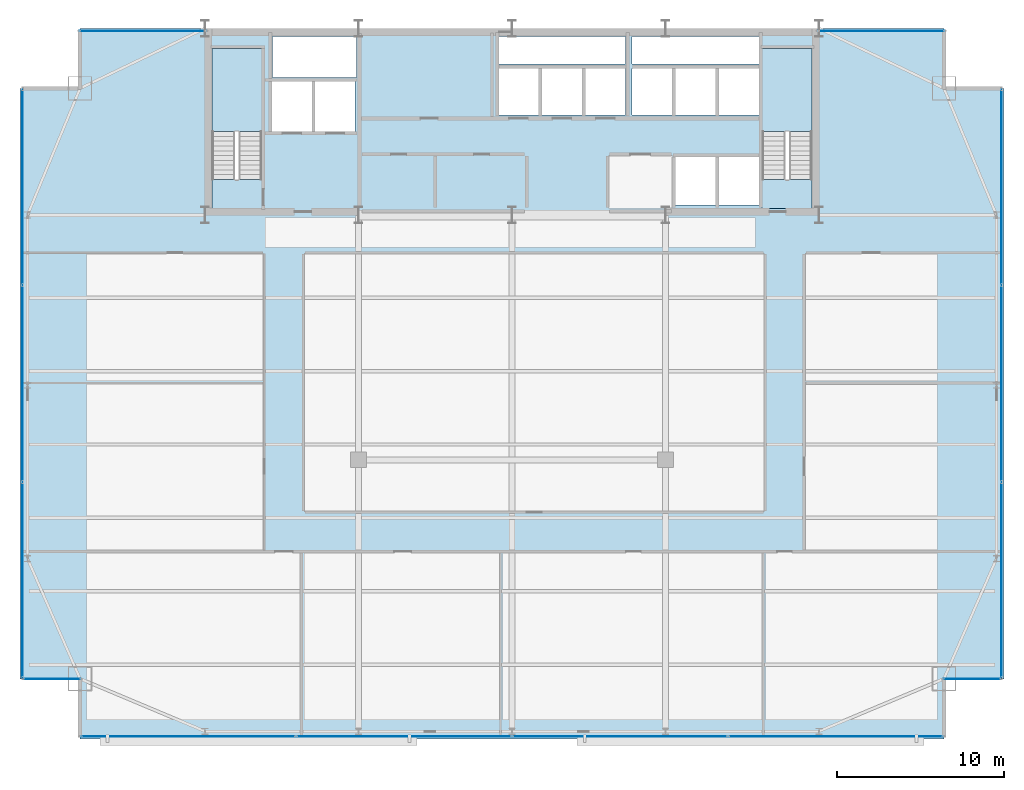
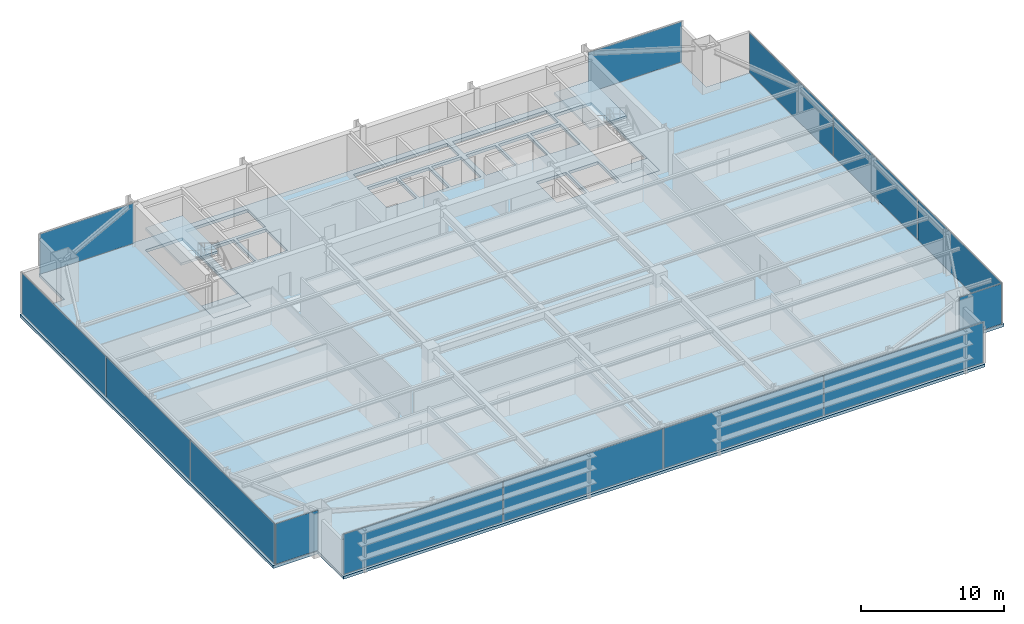
# One storey, part 26 of 33: 14 plates, 5 slabs, 9 elements without a shape of their own.
"""IFC4 building model written with IfcOpenShell, lengths in metres."""

from ifc_helpers import new_model, si_unit, direction, frame, origin, origin_2d, place, context, subcontext, project, spatial, polyline, rectangle, outline, extrude, source, transform, mapped, material, layer, layer_set, type_object, type_shapes, element, aggregate, save


model = new_model("IFC4")

# Units and contexts
model_context = context("Model", 3, precision=1e-05, world=origin(), true_north=direction((0.0, 1.0)))
body_context = subcontext(model_context, "Body", "Model", "MODEL_VIEW")
ifc_project = project(units=[si_unit("LENGTHUNIT", "METRE"), si_unit("AREAUNIT", "SQUARE_METRE"), si_unit("VOLUMEUNIT", "CUBIC_METRE"), si_unit("PLANEANGLEUNIT", "RADIAN"), si_unit("MASSUNIT", "GRAM", prefix="KILO")], contexts=[model_context])

# Site, building, storey
site_placement = place(None, origin())
site = spatial("IfcSite", under=ifc_project, at=site_placement, CompositionType="ELEMENT")
building_placement = place(site_placement, origin())
building = spatial("IfcBuilding", under=site, at=building_placement, Name="Varnel Quay Broadcast Tower", CompositionType="ELEMENT")
storey_placement = place(building_placement, frame((0.0, 0.0, 129.60009765625)))
storey = spatial("IfcBuildingStorey", under=building, at=storey_placement, Name="L31", CompositionType="ELEMENT", Elevation=129.60009765625)

# Slabs
ifc_material_1 = material(Name="Concrete CSA A23.3 C50/60", Category="concrete")
ifc_layer_1 = layer(ifc_material_1, 0.25, Name="Concrete CSA A23.3 C50/60")
ifc_layer_set_1 = layer_set([ifc_layer_1], Name="Concrete CSA A23.3 C50/60")
slab_type_1 = type_object("IfcSlabType", Name="Slab_Floor250", PredefinedType="FLOOR", material=ifc_layer_set_1)
slab_1_placement = place(storey_placement, frame((0.0, 0.0, -0.25)))
element("IfcSlab", 1, at=slab_1_placement, inside=storey, type_object=slab_type_1, Name="L31 Structural Slab", PredefinedType="FLOOR", context=body_context, shape_type="SweptSolid", body=[
    extrude(outline(polyline([(8.10009765625, 4.199951171875), (59.89990234375, 4.199951171875), (59.89990234375, 7.800048828125), (63.5, 7.800048828125), (63.5, 43.199951171875), (59.89990234375, 43.199951171875), (59.89990234375, 46.800048828125), (8.10009765625, 46.800048828125), (8.10009765625, 43.199951171875), (4.5, 43.199951171875), (4.5, 7.800048828125), (8.10009765625, 7.800048828125), (8.10009765625, 4.199951171875)]), holes=[polyline([(19.0, 36.0), (16.0, 36.0), (16.0, 45.60009765625), (19.0, 45.60009765625), (19.0, 36.0)]), polyline([(19.60009765625, 43.60009765625), (22.0, 43.60009765625), (22.0, 40.60009765625), (19.60009765625, 40.60009765625), (19.60009765625, 43.60009765625)]), polyline([(22.199951171875, 43.60009765625), (24.60009765625, 43.60009765625), (24.60009765625, 40.60009765625), (22.199951171875, 40.60009765625), (22.199951171875, 43.60009765625)]), polyline([(33.199951171875, 44.39990234375), (35.60009765625, 44.39990234375), (35.60009765625, 41.60009765625), (33.199951171875, 41.60009765625), (33.199951171875, 44.39990234375)]), polyline([(35.800048828125, 44.39990234375), (38.199951171875, 44.39990234375), (38.199951171875, 41.60009765625), (35.800048828125, 41.60009765625), (35.800048828125, 44.39990234375)]), polyline([(38.39990234375, 44.39990234375), (40.800048828125, 44.39990234375), (40.800048828125, 41.60009765625), (38.39990234375, 41.60009765625), (38.39990234375, 44.39990234375)]), polyline([(19.64990234375, 46.300048828125), (24.679931640625, 46.300048828125), (24.679931640625, 43.85009765625), (19.64990234375, 43.85009765625), (19.64990234375, 46.300048828125)]), polyline([(33.199951171875, 46.300048828125), (40.800048828125, 46.300048828125), (40.800048828125, 44.64990234375), (33.199951171875, 44.64990234375), (33.199951171875, 46.300048828125)]), polyline([(43.800048828125, 39.10009765625), (46.199951171875, 39.10009765625), (46.199951171875, 36.199951171875), (43.800048828125, 36.199951171875), (43.800048828125, 39.10009765625)]), polyline([(46.39990234375, 39.10009765625), (48.800048828125, 39.10009765625), (48.800048828125, 36.199951171875), (46.39990234375, 36.199951171875), (46.39990234375, 39.10009765625)]), polyline([(49.0, 36.0), (49.0, 45.60009765625), (52.0, 45.60009765625), (52.0, 36.0), (49.0, 36.0)]), polyline([(41.199951171875, 44.39990234375), (43.60009765625, 44.39990234375), (43.60009765625, 41.60009765625), (41.199951171875, 41.60009765625), (41.199951171875, 44.39990234375)]), polyline([(43.800048828125, 44.39990234375), (46.199951171875, 44.39990234375), (46.199951171875, 41.60009765625), (43.800048828125, 41.60009765625), (43.800048828125, 44.39990234375)]), polyline([(46.39990234375, 44.39990234375), (48.800048828125, 44.39990234375), (48.800048828125, 41.60009765625), (46.39990234375, 41.60009765625), (46.39990234375, 44.39990234375)]), polyline([(41.199951171875, 46.300048828125), (48.800048828125, 46.300048828125), (48.800048828125, 44.64990234375), (41.199951171875, 44.64990234375), (41.199951171875, 46.300048828125)])]), origin(), (0.0, 0.0, 1.0), 0.25),
])
ifc_layer_2 = layer(ifc_material_1, 0.25, Name="Concrete CSA A23.3 C50/60")
ifc_layer_set_2 = layer_set([ifc_layer_2], Name="Concrete CSA A23.3 C50/60")
slab_type_2 = type_object("IfcSlabType", Name="Slab_StairFloorLanding250", PredefinedType="FLOOR", material=ifc_layer_set_2)
slab_2_placement = place(storey_placement, frame((0.0, 0.0, -0.25)))
element("IfcSlab", 2, at=slab_2_placement, inside=storey, type_object=slab_type_2, Name="L31 ST-01 Structural Floor Landing Slab", PredefinedType="FLOOR", context=body_context, shape_type="SweptSolid", body=[
    extrude(outline(polyline([(19.0, 36.0), (19.0, 37.75), (16.0, 37.75), (16.0, 36.0), (19.0, 36.0)])), origin(), (0.0, 0.0, 1.0), 0.25),
])
slab_3_placement = place(storey_placement, frame((0.0, 0.0, -0.25)))
element("IfcSlab", 3, at=slab_3_placement, inside=storey, type_object=slab_type_2, Name="L31 ST-02 Structural Floor Landing Slab", PredefinedType="FLOOR", context=body_context, shape_type="SweptSolid", body=[
    extrude(outline(polyline([(52.0, 36.0), (52.0, 37.75), (49.0, 37.75), (49.0, 36.0), (52.0, 36.0)])), origin(), (0.0, 0.0, 1.0), 0.25),
])

# Stair, slab
ifc_material_2 = material(Name="Precast Structural Concrete C40/50", Category="concrete")
stair_type_1 = type_object("IfcStairType", Name="Stair_ST-01", PredefinedType="HALF_TURN_STAIR", material=ifc_material_2)
stair_1_placement = place(storey_placement, origin())
stair_1 = element("IfcStair", 4, at=stair_1_placement, inside=storey, type_object=stair_type_1, Name="L31 West Core Exit Stair 1", PredefinedType="HALF_TURN_STAIR")
ifc_layer_3 = layer(ifc_material_2, 0.199951171875, Name="Precast Structural Concrete C40/50")
ifc_layer_set_3 = layer_set([ifc_layer_3], Name="Precast Structural Concrete C40/50")
slab_type_3 = type_object("IfcSlabType", Name="Slab_StairLanding200", PredefinedType="LANDING", material=ifc_layer_set_3)
slab_4_placement = place(storey_placement, frame((0.0, 0.0, 1.699951171875)))
slab_4 = element("IfcSlab", 5, at=slab_4_placement, type_object=slab_type_3, Name="ST-01 landing 1", PredefinedType="LANDING", context=body_context, shape_type="SweptSolid", body=[
    extrude(outline(polyline([(19.0, 40.60009765625), (19.0, 45.60009765625), (16.0, 45.60009765625), (16.0, 40.60009765625), (19.0, 40.60009765625)])), origin(), (0.0, 0.0, 1.0), 0.199951171875),
])
aggregate(stair_1, [slab_4])

stair_type_2 = type_object("IfcStairType", Name="Stair_ST-02", PredefinedType="HALF_TURN_STAIR", material=ifc_material_2)
stair_2_placement = place(storey_placement, origin())
stair_2 = element("IfcStair", 6, at=stair_2_placement, inside=storey, type_object=stair_type_2, Name="L31 East Core Exit Stair 2", PredefinedType="HALF_TURN_STAIR")
slab_5_placement = place(storey_placement, frame((0.0, 0.0, 1.699951171875)))
slab_5 = element("IfcSlab", 7, at=slab_5_placement, type_object=slab_type_3, Name="ST-02 landing 1", PredefinedType="LANDING", context=body_context, shape_type="SweptSolid", body=[
    extrude(outline(polyline([(52.0, 40.60009765625), (52.0, 45.60009765625), (49.0, 45.60009765625), (49.0, 40.60009765625), (52.0, 40.60009765625)])), origin(), (0.0, 0.0, 1.0), 0.199951171875),
])
aggregate(stair_2, [slab_5])

# Curtain wall, plate
ifc_material_3 = material(Name="Anodised Bronze Aluminium 6063-T6", Category="aluminium")
ifc_layer_4 = layer(ifc_material_3, 0.18994140625, Name="Anodised Bronze Aluminium 6063-T6")
ifc_layer_set_4 = layer_set([ifc_layer_4], Name="Anodised Bronze Aluminium 6063-T6")
curtain_wall_type_1 = type_object("IfcCurtainWallType", Name="CW_LowerTower", PredefinedType="NOTDEFINED", material=ifc_layer_set_4)
curtain_wall_1_placement = place(storey_placement, origin())
curtain_wall_1 = element("IfcCurtainWall", 8, at=curtain_wall_1_placement, inside=storey, type_object=curtain_wall_type_1, Name="L31 West Unitised Curtain Wall", PredefinedType="NOTDEFINED")
ifc_material_4 = material(Name="Insulated Bronze Spandrel Glass", Category="glass")
ifc_layer_5 = layer(ifc_material_4, 0.031982421875, Name="Insulated Bronze Spandrel Glass")
ifc_layer_set_5 = layer_set([ifc_layer_5], Name="Insulated Bronze Spandrel Glass")
plate_type_1 = type_object("IfcPlateType", Name="PanelSp_CWS-02", PredefinedType="CURTAIN_PANEL", material=ifc_layer_set_5)
shared_shape_1 = source(origin(), body_context, "Body", "SweptSolid", [
    extrude(rectangle(XDim=11.72998046875, YDim=0.031982421875, at=origin_2d()), origin(), (0.0, 0.0, 1.0), 3.429931640625),
])
plate_1_placement = place(storey_placement, frame((4.64990234375, 25.5, 0.06005859375), z_axis=(0.0, 0.0, 1.0), x_axis=(0.0, 1.0, 0.0)))
plate_1 = element("IfcPlate", 9, at=plate_1_placement, type_object=plate_type_1, Name="CWS-02 panel 2.1", PredefinedType="CURTAIN_PANEL", context=body_context, shape_type="MappedRepresentation", body=[
    mapped(shared_shape_1, transform((0.0, 0.0, 0.0), x_axis=(1.0, 0.0, 0.0), y_axis=(0.0, 1.0, 0.0), z_axis=(0.0, 0.0, 1.0), scale=1.0)),
])

curtain_wall_2_placement = place(storey_placement, origin())
curtain_wall_2 = element("IfcCurtainWall", 10, at=curtain_wall_2_placement, inside=storey, type_object=curtain_wall_type_1, Name="L31 East Unitised Curtain Wall", PredefinedType="NOTDEFINED")
plate_2_placement = place(storey_placement, frame((63.35009765625, 25.5, 0.06005859375), z_axis=(0.0, 0.0, 1.0), x_axis=(0.0, 1.0, 0.0)))
plate_2 = element("IfcPlate", 11, at=plate_2_placement, type_object=plate_type_1, Name="CWS-02 panel 2.1", PredefinedType="CURTAIN_PANEL", context=body_context, shape_type="MappedRepresentation", body=[
    mapped(shared_shape_1, transform((0.0, 0.0, 0.0), x_axis=(1.0, 0.0, 0.0), y_axis=(0.0, 1.0, 0.0), z_axis=(0.0, 0.0, 1.0), scale=1.0)),
])

ifc_layer_6 = layer(ifc_material_3, 0.18994140625, Name="Anodised Bronze Aluminium 6063-T6")
ifc_layer_set_6 = layer_set([ifc_layer_6], Name="Anodised Bronze Aluminium 6063-T6")
curtain_wall_type_2 = type_object("IfcCurtainWallType", Name="CW_NotchCorner", PredefinedType="NOTDEFINED", material=ifc_layer_set_6)
curtain_wall_3_placement = place(storey_placement, origin())
curtain_wall_3 = element("IfcCurtainWall", 12, at=curtain_wall_3_placement, inside=storey, type_object=curtain_wall_type_2, Name="L31 SW Notch Curtain Wall", PredefinedType="NOTDEFINED")
ifc_material_5 = material(Name="Triple-Glazed Bronze Low-E Architectural Glass", Category="glass")
ifc_layer_7 = layer(ifc_material_5, 0.028076171875, Name="Triple-Glazed Bronze Low-E Architectural Glass")
ifc_layer_set_7 = layer_set([ifc_layer_7], Name="Triple-Glazed Bronze Low-E Architectural Glass")
plate_type_2 = type_object("IfcPlateType", Name="Panel_CWS-04", PredefinedType="CURTAIN_PANEL", material=ifc_layer_set_7)
shared_shape_2 = source(origin(), body_context, "Body", "SweptSolid", [
    extrude(rectangle(XDim=3.409912109375, YDim=0.028076171875, at=origin_2d()), origin(), (0.0, 0.0, 1.0), 3.43994140625),
])
type_shapes(plate_type_2, [shared_shape_2])
plate_3_placement = place(storey_placement, frame((6.4150390625, 7.800048828125, 0.054931640625), z_axis=(0.0, 0.0, 1.0), x_axis=(1.0, 0.0, 0.0)))
plate_3 = element("IfcPlate", 13, at=plate_3_placement, type_object=plate_type_2, Name="CWS-04 panel 1.1", PredefinedType="CURTAIN_PANEL", context=body_context, shape_type="MappedRepresentation", body=[
    mapped(shared_shape_2, transform((0.0, 0.0, 0.0), x_axis=(1.0, 0.0, 0.0), y_axis=(0.0, 1.0, 0.0), z_axis=(0.0, 0.0, 1.0), scale=1.0)),
])
aggregate(curtain_wall_3, [plate_3])

curtain_wall_4_placement = place(storey_placement, origin())
curtain_wall_4 = element("IfcCurtainWall", 14, at=curtain_wall_4_placement, inside=storey, type_object=curtain_wall_type_2, Name="L31 SE Notch Curtain Wall", PredefinedType="NOTDEFINED")
plate_4_placement = place(storey_placement, frame((61.5849609375, 7.800048828125, 0.054931640625), z_axis=(0.0, 0.0, 1.0), x_axis=(1.0, 0.0, 0.0)))
plate_4 = element("IfcPlate", 15, at=plate_4_placement, type_object=plate_type_2, Name="CWS-04 panel 1.1", PredefinedType="CURTAIN_PANEL", context=body_context, shape_type="MappedRepresentation", body=[
    mapped(shared_shape_2, transform((0.0, 0.0, 0.0), x_axis=(1.0, 0.0, 0.0), y_axis=(0.0, 1.0, 0.0), z_axis=(0.0, 0.0, 1.0), scale=1.0)),
])
aggregate(curtain_wall_4, [plate_4])

curtain_wall_5_placement = place(storey_placement, origin())
curtain_wall_5 = element("IfcCurtainWall", 16, at=curtain_wall_5_placement, inside=storey, type_object=curtain_wall_type_1, Name="L31 NW Wing Curtain Wall", PredefinedType="NOTDEFINED")
ifc_layer_8 = layer(ifc_material_5, 0.031982421875, Name="Triple-Glazed Bronze Low-E Architectural Glass")
ifc_layer_set_8 = layer_set([ifc_layer_8], Name="Triple-Glazed Bronze Low-E Architectural Glass")
plate_type_3 = type_object("IfcPlateType", Name="Panel_CWS-02", PredefinedType="CURTAIN_PANEL", material=ifc_layer_set_8)
shared_shape_3 = source(origin(), body_context, "Body", "SweptSolid", [
    extrude(rectangle(XDim=7.5400390625, YDim=0.031982421875, at=origin_2d()), origin(), (0.0, 0.0, 1.0), 3.429931640625),
])
plate_5_placement = place(storey_placement, frame((11.860107421875, 46.64990234375, 0.06005859375), z_axis=(0.0, 0.0, 1.0), x_axis=(1.0, 0.0, 0.0)))
plate_5 = element("IfcPlate", 17, at=plate_5_placement, type_object=plate_type_3, Name="CWS-02 panel 1.1", PredefinedType="CURTAIN_PANEL", context=body_context, shape_type="MappedRepresentation", body=[
    mapped(shared_shape_3, transform((0.0, 0.0, 0.0), x_axis=(1.0, 0.0, 0.0), y_axis=(0.0, 1.0, 0.0), z_axis=(0.0, 0.0, 1.0), scale=1.0)),
])
aggregate(curtain_wall_5, [plate_5])

curtain_wall_6_placement = place(storey_placement, origin())
curtain_wall_6 = element("IfcCurtainWall", 18, at=curtain_wall_6_placement, inside=storey, type_object=curtain_wall_type_1, Name="L31 NE Wing Curtain Wall", PredefinedType="NOTDEFINED")
plate_6_placement = place(storey_placement, frame((56.139892578125, 46.64990234375, 0.06005859375), z_axis=(0.0, 0.0, 1.0), x_axis=(1.0, 0.0, 0.0)))
plate_6 = element("IfcPlate", 19, at=plate_6_placement, type_object=plate_type_3, Name="CWS-02 panel 1.1", PredefinedType="CURTAIN_PANEL", context=body_context, shape_type="MappedRepresentation", body=[
    mapped(shared_shape_3, transform((0.0, 0.0, 0.0), x_axis=(1.0, 0.0, 0.0), y_axis=(0.0, 1.0, 0.0), z_axis=(0.0, 0.0, 1.0), scale=1.0)),
])
aggregate(curtain_wall_6, [plate_6])

# Curtain wall, plates
curtain_wall_7_placement = place(storey_placement, origin())
curtain_wall_7 = element("IfcCurtainWall", 20, at=curtain_wall_7_placement, inside=storey, type_object=curtain_wall_type_1, Name="L31 South Unitised Curtain Wall 1", PredefinedType="NOTDEFINED")
shared_shape_4 = source(origin(), body_context, "Body", "SweptSolid", [
    extrude(rectangle(XDim=12.844970703125, YDim=0.031982421875, at=origin_2d()), origin(), (0.0, 0.0, 1.0), 3.429931640625),
])
plate_7_placement = place(storey_placement, frame((14.592529296875, 4.35009765625, 0.06005859375), z_axis=(0.0, 0.0, 1.0), x_axis=(1.0, 0.0, 0.0)))
plate_7 = element("IfcPlate", 21, at=plate_7_placement, type_object=plate_type_3, Name="CWS-02 panel 1.1", PredefinedType="CURTAIN_PANEL", context=body_context, shape_type="MappedRepresentation", body=[
    mapped(shared_shape_4, transform((0.0, 0.0, 0.0), x_axis=(1.0, 0.0, 0.0), y_axis=(0.0, 1.0, 0.0), z_axis=(0.0, 0.0, 1.0), scale=1.0)),
])
plate_8_placement = place(storey_placement, frame((53.407470703125, 4.35009765625, 0.06005859375), z_axis=(0.0, 0.0, 1.0), x_axis=(1.0, 0.0, 0.0)))
plate_8 = element("IfcPlate", 22, at=plate_8_placement, type_object=plate_type_3, Name="CWS-02 panel 4.1", PredefinedType="CURTAIN_PANEL", context=body_context, shape_type="MappedRepresentation", body=[
    mapped(shared_shape_4, transform((0.0, 0.0, 0.0), x_axis=(1.0, 0.0, 0.0), y_axis=(0.0, 1.0, 0.0), z_axis=(0.0, 0.0, 1.0), scale=1.0)),
])
shared_shape_5 = source(origin(), body_context, "Body", "SweptSolid", [
    extrude(rectangle(XDim=12.8798828125, YDim=0.031982421875, at=origin_2d()), origin(), (0.0, 0.0, 1.0), 3.429931640625),
])
type_shapes(plate_type_1, [shared_shape_1, shared_shape_5])
plate_9_placement = place(storey_placement, frame((27.52490234375, 4.35009765625, 0.06005859375), z_axis=(0.0, 0.0, 1.0), x_axis=(1.0, 0.0, 0.0)))
plate_9 = element("IfcPlate", 23, at=plate_9_placement, type_object=plate_type_1, Name="CWS-02 panel 2.1", PredefinedType="CURTAIN_PANEL", context=body_context, shape_type="MappedRepresentation", body=[
    mapped(shared_shape_5, transform((0.0, 0.0, 0.0), x_axis=(1.0, 0.0, 0.0), y_axis=(0.0, 1.0, 0.0), z_axis=(0.0, 0.0, 1.0), scale=1.0)),
])
plate_10_placement = place(storey_placement, frame((40.47509765625, 4.35009765625, 0.06005859375), z_axis=(0.0, 0.0, 1.0), x_axis=(1.0, 0.0, 0.0)))
plate_10 = element("IfcPlate", 24, at=plate_10_placement, type_object=plate_type_1, Name="CWS-02 panel 3.1", PredefinedType="CURTAIN_PANEL", context=body_context, shape_type="MappedRepresentation", body=[
    mapped(shared_shape_5, transform((0.0, 0.0, 0.0), x_axis=(1.0, 0.0, 0.0), y_axis=(0.0, 1.0, 0.0), z_axis=(0.0, 0.0, 1.0), scale=1.0)),
])
aggregate(curtain_wall_7, [plate_7, plate_9, plate_10, plate_8])

# Plate
shared_shape_6 = source(origin(), body_context, "Body", "SweptSolid", [
    extrude(rectangle(XDim=11.695068359375, YDim=0.031982421875, at=origin_2d()), origin(), (0.0, 0.0, 1.0), 3.429931640625),
])
type_shapes(plate_type_3, [shared_shape_3, shared_shape_4, shared_shape_6])
plate_11_placement = place(storey_placement, frame((4.64990234375, 13.717529296875, 0.06005859375), z_axis=(0.0, 0.0, 1.0), x_axis=(0.0, 1.0, 0.0)))
plate_11 = element("IfcPlate", 25, at=plate_11_placement, type_object=plate_type_3, Name="CWS-02 panel 1.1", PredefinedType="CURTAIN_PANEL", context=body_context, shape_type="MappedRepresentation", body=[
    mapped(shared_shape_6, transform((0.0, 0.0, 0.0), x_axis=(1.0, 0.0, 0.0), y_axis=(0.0, 1.0, 0.0), z_axis=(0.0, 0.0, 1.0), scale=1.0)),
])

plate_12_placement = place(storey_placement, frame((4.64990234375, 37.282470703125, 0.06005859375), z_axis=(0.0, 0.0, 1.0), x_axis=(0.0, 1.0, 0.0)))
plate_12 = element("IfcPlate", 26, at=plate_12_placement, type_object=plate_type_3, Name="CWS-02 panel 3.1", PredefinedType="CURTAIN_PANEL", context=body_context, shape_type="MappedRepresentation", body=[
    mapped(shared_shape_6, transform((0.0, 0.0, 0.0), x_axis=(1.0, 0.0, 0.0), y_axis=(0.0, 1.0, 0.0), z_axis=(0.0, 0.0, 1.0), scale=1.0)),
])

aggregate(curtain_wall_1, [plate_11, plate_1, plate_12])

plate_13_placement = place(storey_placement, frame((63.35009765625, 13.717529296875, 0.06005859375), z_axis=(0.0, 0.0, 1.0), x_axis=(0.0, 1.0, 0.0)))
plate_13 = element("IfcPlate", 27, at=plate_13_placement, type_object=plate_type_3, Name="CWS-02 panel 1.1", PredefinedType="CURTAIN_PANEL", context=body_context, shape_type="MappedRepresentation", body=[
    mapped(shared_shape_6, transform((0.0, 0.0, 0.0), x_axis=(1.0, 0.0, 0.0), y_axis=(0.0, 1.0, 0.0), z_axis=(0.0, 0.0, 1.0), scale=1.0)),
])

plate_14_placement = place(storey_placement, frame((63.35009765625, 37.282470703125, 0.06005859375), z_axis=(0.0, 0.0, 1.0), x_axis=(0.0, 1.0, 0.0)))
plate_14 = element("IfcPlate", 28, at=plate_14_placement, type_object=plate_type_3, Name="CWS-02 panel 3.1", PredefinedType="CURTAIN_PANEL", context=body_context, shape_type="MappedRepresentation", body=[
    mapped(shared_shape_6, transform((0.0, 0.0, 0.0), x_axis=(1.0, 0.0, 0.0), y_axis=(0.0, 1.0, 0.0), z_axis=(0.0, 0.0, 1.0), scale=1.0)),
])

aggregate(curtain_wall_2, [plate_13, plate_2, plate_14])

save(model, "model.ifc")
